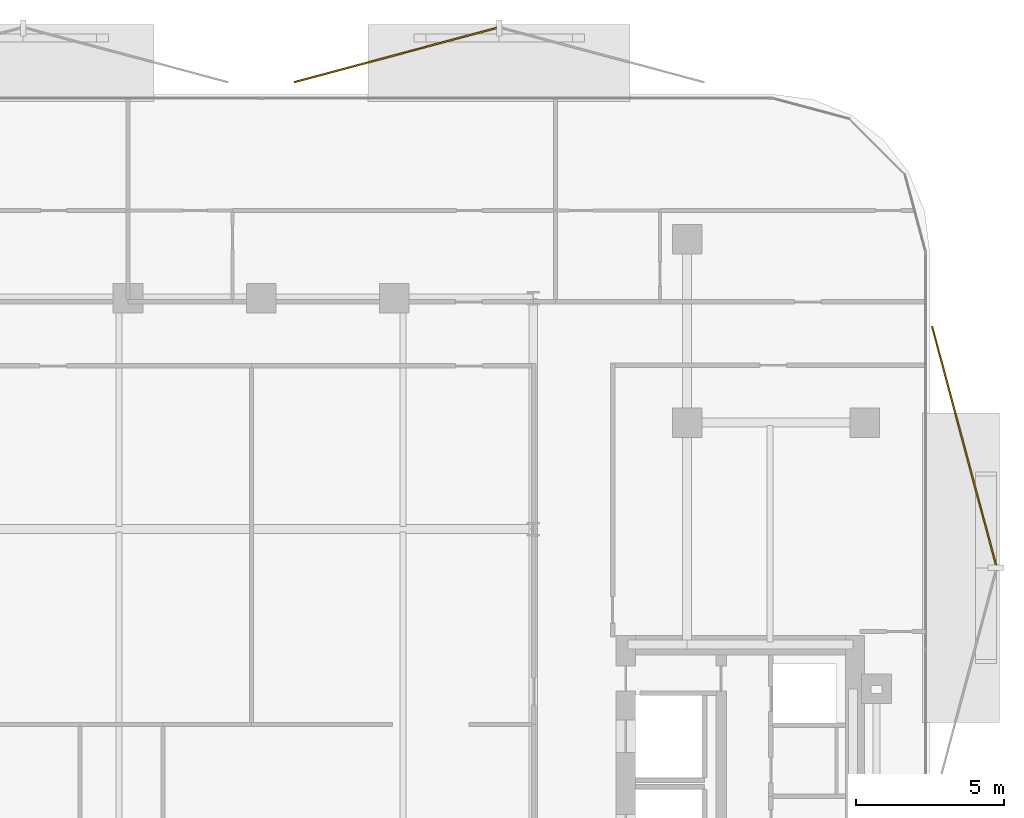
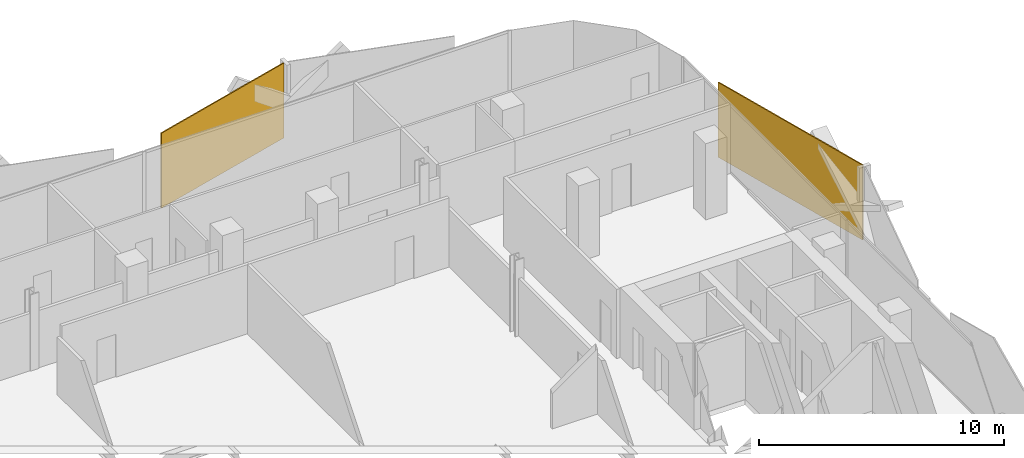
# One storey, part 17 of 17: 2 coverings.
"""IFC4 building model written with IfcOpenShell, lengths in metres."""

import ifcopenshell
import ifcopenshell.guid

model = None  # the IFC model being written
_history = None  # IfcOwnerHistory: only IFC2X3 demands one
_inside = {}  # id of a spatial element -> (the spatial element, [elements in it])
_under = {}  # id of a project, library or spatial element -> (it, [spatial elements below it])
_declared = {}  # id of a project -> (the project, [libraries it declares])
_typed = {}  # id of a type object -> (the type object, [elements of that type])
_made_of = {}  # id of a material, layer set ... -> (it, [elements and type objects made of it])


def new_model(schema):
    """Start an empty IFC model of exactly this schema.

    Asked for "IFC4X3", IfcOpenShell would pick the latest addendum, in which some entities
    have other attributes; the version numbers below select the first issue.
    IFC2X3 requires an IfcOwnerHistory on every rooted entity: one is made here for all.
    """
    global model, _history
    if schema == "IFC4X3":
        model = ifcopenshell.file(schema_version=(4, 3, 0, 0))
    else:
        model = ifcopenshell.file(schema=schema)
    _inside.clear()
    _under.clear()
    _declared.clear()
    _typed.clear()
    _made_of.clear()
    _history = None
    if model.schema == "IFC2X3":
        org = make("IfcOrganization", Name="unknown")
        user = make(
            "IfcPersonAndOrganization",
            ThePerson=make("IfcPerson", FamilyName="unknown"),
            TheOrganization=org,
        )
        app = make(
            "IfcApplication",
            ApplicationDeveloper=org,
            Version="unknown",
            ApplicationFullName="unknown",
            ApplicationIdentifier="unknown",
        )
        _history = make(
            "IfcOwnerHistory",
            OwningUser=user,
            OwningApplication=app,
            ChangeAction="ADDED",
            CreationDate=0,
        )
    return model


def make(cls, **values):
    """One entity of the class cls with the attributes given. An attribute that is None is left unset."""
    return model.create_entity(
        cls, **{name: value for name, value in values.items() if value is not None}
    )


def rooted(cls, **values):
    """An entity with a GlobalId (a new one), such as an element, a storey or a relation."""
    return make(cls, GlobalId=ifcopenshell.guid.new(), OwnerHistory=_history, **values)


def si_unit(unit_type, name, prefix=None):
    """IfcSIUnit, for example si_unit("LENGTHUNIT", "METRE", prefix="MILLI")."""
    return make("IfcSIUnit", UnitType=unit_type, Prefix=prefix, Name=name)


def assignment(units):
    """IfcUnitAssignment: the units of a project."""
    return None if units is None else make("IfcUnitAssignment", Units=units)


def point(xyz):
    """IfcCartesianPoint."""
    return None if xyz is None else make("IfcCartesianPoint", Coordinates=xyz)


def direction(xyz):
    """IfcDirection."""
    return None if xyz is None else make("IfcDirection", DirectionRatios=xyz)


def frame(location, z_axis=None, x_axis=None):
    """IfcAxis2Placement3D, a coordinate frame: its origin and axes. An axis left out is left unset."""
    return make(
        "IfcAxis2Placement3D",
        Location=point(location),
        Axis=direction(z_axis),
        RefDirection=direction(x_axis),
    )


def frame_2d(location, x_axis=None):
    """IfcAxis2Placement2D, a coordinate frame in the plane: its origin and x axis."""
    return make(
        "IfcAxis2Placement2D", Location=point(location), RefDirection=direction(x_axis)
    )


def origin():
    """The frame at (0, 0, 0) with its axes left unset."""
    return frame((0.0, 0.0, 0.0))


def origin_2d():
    """The frame at (0, 0) in the plane with its x axis left unset."""
    return frame_2d((0.0, 0.0))


def place(relative_to, where):
    """IfcLocalPlacement: puts the frame where relative to a parent placement (None: the world)."""
    return make(
        "IfcLocalPlacement", PlacementRelTo=relative_to, RelativePlacement=where
    )


def context(
    kind, dimensions, precision=None, world=None, true_north=None, identifier=None
):
    """IfcGeometricRepresentationContext, for example the 3D "Model" context."""
    return make(
        "IfcGeometricRepresentationContext",
        ContextIdentifier=identifier,
        ContextType=kind,
        CoordinateSpaceDimension=dimensions,
        Precision=precision,
        WorldCoordinateSystem=world,
        TrueNorth=true_north,
    )


def subcontext(parent, identifier, kind, view, scale=None):
    """IfcGeometricRepresentationSubContext, for example "Body" below "Model"."""
    return make(
        "IfcGeometricRepresentationSubContext",
        ContextIdentifier=identifier,
        ContextType=kind,
        ParentContext=parent,
        TargetScale=scale,
        TargetView=view,
    )


def project(units=None, contexts=None):
    """IfcProject with its units and contexts."""
    return rooted(
        "IfcProject",
        Name="project",
        RepresentationContexts=contexts,
        UnitsInContext=assignment(units),
    )


def spatial(cls, under=None, at=None, **own):
    """A site, building, storey or space (cls), placed at a placement, below another one or the project."""
    s = rooted(cls, ObjectPlacement=at, **own)
    if under is not None:
        _under.setdefault(under.id(), (under, []))[1].append(s)
    return s


def profile(cls, at=None, kind="AREA", **sizes):
    """A parametric profile (cls). Its sizes go by their IFC names, for example OverallWidth=200.0."""
    return make(cls, ProfileType=kind, Position=at, **sizes)


def rectangle(**sizes):
    """IfcRectangleProfileDef."""
    return profile("IfcRectangleProfileDef", **sizes)


def extrude(swept, where, along, depth):
    """IfcExtrudedAreaSolid: the profile swept, set in the frame where, extruded along a direction by depth."""
    return make(
        "IfcExtrudedAreaSolid",
        SweptArea=swept,
        Position=where,
        ExtrudedDirection=direction(along),
        Depth=depth,
    )


def shape(context_of_items, identifier, shape_type, items):
    """IfcShapeRepresentation: the items that make up one representation, for example the "Body"."""
    return make(
        "IfcShapeRepresentation",
        ContextOfItems=context_of_items,
        RepresentationIdentifier=identifier,
        RepresentationType=shape_type,
        Items=items,
    )


def material(Name=None, Category=None):
    """IfcMaterial."""
    return make("IfcMaterial", Name=Name, Category=Category)


def layer(
    of_material, thickness, ventilated=None, Name=None, Category=None, Priority=None
):
    """IfcMaterialLayer: one layer of a wall or slab, of a material (None: an air gap)."""
    return make(
        "IfcMaterialLayer",
        Material=of_material,
        LayerThickness=thickness,
        IsVentilated=ventilated,
        Name=Name,
        Category=Category,
        Priority=Priority,
    )


def layer_set(layers, Name=None):
    """IfcMaterialLayerSet."""
    return make("IfcMaterialLayerSet", MaterialLayers=layers, LayerSetName=Name)


def made_of(thing, what):
    """Note that an element or type object is made of a material, layer set ...; save() writes the relation."""
    if what is not None:
        _made_of.setdefault(what.id(), (what, []))[1].append(thing)
    return thing


def type_object(cls, material=None, **own):
    """A type object (cls), such as IfcWallType, which elements share."""
    return made_of(rooted(cls, **own), material)


def element(
    cls,
    number,
    at=None,
    inside=None,
    cuts=None,
    type_object=None,
    material=None,
    context=None,
    identifier="Body",
    shape_type=None,
    held_by="IfcProductDefinitionShape",
    body=None,
    shapes=None,
    **own,
):
    """One element of the class cls, such as IfcWall. Its Tag is "e" and its number.

    at: its placement. inside: the storey or other place that contains it. cuts: it is an
    opening in that element (IfcRelVoidsElement). A single representation is given by context,
    identifier, shape_type and body (its items); several are given by shapes. held_by: the class
    of the entity that holds the representations. save() writes the other relations.
    """
    e = rooted(cls, Tag="e%d" % number, ObjectPlacement=at, **own)
    if body is not None:
        shapes = [shape(context, identifier, shape_type, body)]
    if shapes is not None:
        e.Representation = make(held_by, Representations=shapes)
    if inside is not None:
        _inside.setdefault(inside.id(), (inside, []))[1].append(e)
    if cuts is not None:
        rooted(
            "IfcRelVoidsElement", RelatingBuildingElement=cuts, RelatedOpeningElement=e
        )
    if type_object is not None:
        _typed.setdefault(type_object.id(), (type_object, []))[1].append(e)
    return made_of(e, material)


def aggregate(whole, parts):
    """IfcRelAggregates: a whole, such as a stair, and the parts it consists of."""
    return rooted("IfcRelAggregates", RelatingObject=whole, RelatedObjects=parts)


def save(model, path):
    """Write the relations noted so far, then the file.

    IfcRelAggregates (storeys below a building ...), IfcRelContainedInSpatialStructure (elements
    in a storey), IfcRelDefinesByType, IfcRelAssociatesMaterial and IfcRelDeclares: one each for
    every whole, place, type object, material and project.
    """
    for whole, parts in _under.values():
        aggregate(whole, parts)
    for where, things in _inside.values():
        rooted(
            "IfcRelContainedInSpatialStructure",
            RelatedElements=things,
            RelatingStructure=where,
        )
    for kind, things in _typed.values():
        rooted("IfcRelDefinesByType", RelatedObjects=things, RelatingType=kind)
    for what, things in _made_of.values():
        rooted("IfcRelAssociatesMaterial", RelatedObjects=things, RelatingMaterial=what)
    for by, libraries in _declared.values():
        rooted("IfcRelDeclares", RelatingContext=by, RelatedDefinitions=libraries)
    model.write(path)


model = new_model("IFC4")

# Units and contexts
model_context = context("Model", 3, precision=1e-05, world=origin(), true_north=direction((0.0, 1.0)))
body_context = subcontext(model_context, "Body", "Model", "MODEL_VIEW")
ifc_project = project(units=[si_unit("LENGTHUNIT", "METRE"), si_unit("AREAUNIT", "SQUARE_METRE"), si_unit("VOLUMEUNIT", "CUBIC_METRE"), si_unit("PLANEANGLEUNIT", "RADIAN"), si_unit("MASSUNIT", "GRAM", prefix="KILO")], contexts=[model_context])

# Site, building, storey
site_placement = place(None, origin())
site = spatial("IfcSite", under=ifc_project, at=site_placement, CompositionType="ELEMENT")
building_placement = place(site_placement, origin())
building = spatial("IfcBuilding", under=site, at=building_placement, Name="Khairoan Windgate Tower", CompositionType="ELEMENT")
storey_placement = place(building_placement, frame((0.0, 0.0, 210.60009765625)))
storey = spatial("IfcBuildingStorey", under=building, at=storey_placement, Name="L49", CompositionType="ELEMENT", Elevation=210.60009765625)

# Coverings
ifc_material = material(Name="Anodised Bronze Aluminium 6063-T6", Category="aluminium")
ifc_layer = layer(ifc_material, 0.054931640625, Name="Anodised Bronze Aluminium 6063-T6")
ifc_layer_set = layer_set([ifc_layer], Name="Anodised Bronze Aluminium 6063-T6")
covering_type = type_object("IfcCoveringType", Name="Perforated Bronze-Ceramic Folded Solar Screen Cladding BSC-1", PredefinedType="CLADDING", material=ifc_layer_set)
covering_1_placement = place(storey_placement, frame((4.535888671875, 26.82373046875, -0.10009765625), z_axis=(0.0, 0.0, 1.0), x_axis=(0.965925826289, 0.258819045103, 0.0)))
element("IfcCovering", 1, at=covering_1_placement, inside=storey, type_object=covering_type, Name="L49 Folded Bronze Solar Screen Facet 334L", PredefinedType="CLADDING", context=body_context, shape_type="SweptSolid", body=[
    extrude(rectangle(XDim=7.080078125, YDim=0.054931640625, at=origin_2d()), origin(), (0.0, 0.0, 1.0), 3.739990234375),
])
covering_2_placement = place(storey_placement, frame((23.7587890625, 13.62109375, -0.10009765625), z_axis=(0.0, 0.0, 1.0), x_axis=(0.258819045103, -0.965925826289, 0.0)))
element("IfcCovering", 2, at=covering_2_placement, inside=storey, type_object=covering_type, Name="L49 Folded Bronze Solar Screen Facet 335L", PredefinedType="CLADDING", context=body_context, shape_type="SweptSolid", body=[
    extrude(rectangle(XDim=8.35595703125, YDim=0.054931640625, at=origin_2d()), origin(), (0.0, 0.0, 1.0), 3.739990234375),
])

save(model, "model.ifc")
